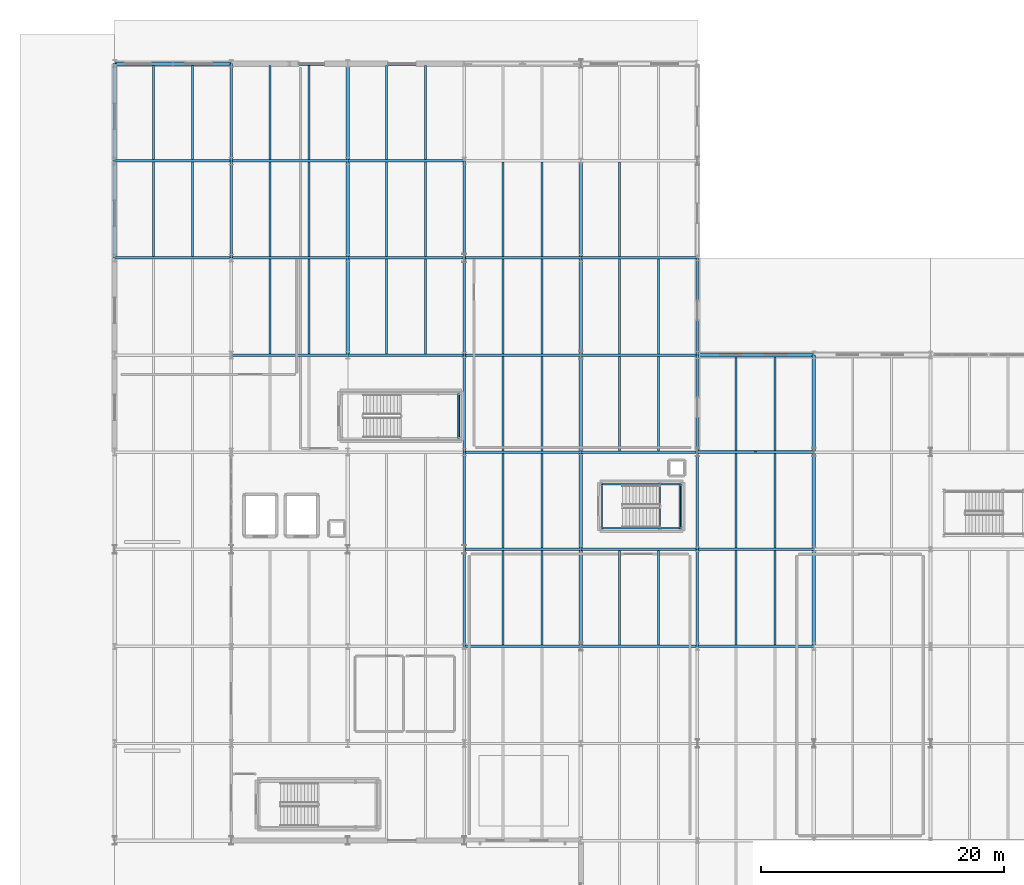
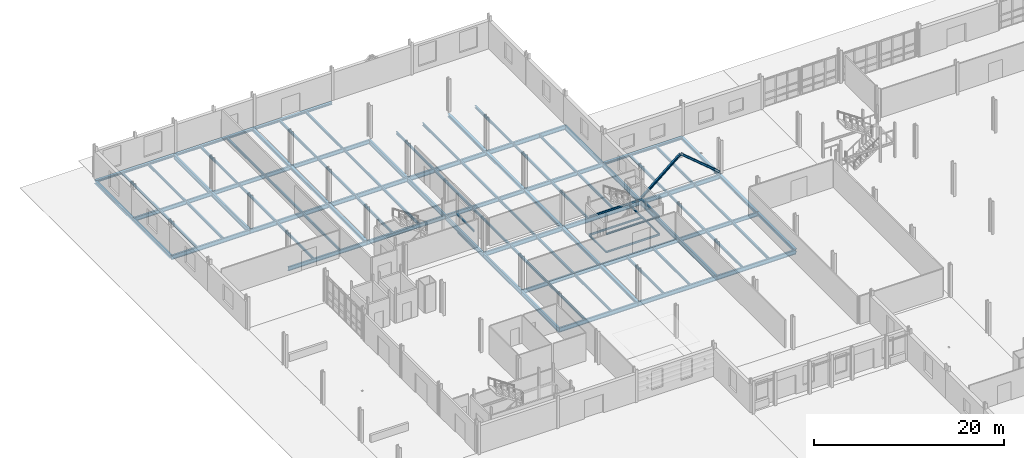
# One storey, part 36 of 78: 98 beams, 2 members.
"""IFC4 building model written with IfcOpenShell, lengths in metres."""

from ifc_helpers import new_model, si_unit, direction, frame, origin, origin_2d, place, context, subcontext, project, spatial, i_section, extrude, material, material_profile, profile_set, type_object, element, save


model = new_model("IFC4")

# Units and contexts
model_context = context("Model", 3, precision=1e-05, world=origin(), true_north=direction((0.0, 1.0)))
body_context = subcontext(model_context, "Body", "Model", "MODEL_VIEW")
ifc_project = project(units=[si_unit("LENGTHUNIT", "METRE"), si_unit("AREAUNIT", "SQUARE_METRE"), si_unit("VOLUMEUNIT", "CUBIC_METRE"), si_unit("PLANEANGLEUNIT", "RADIAN"), si_unit("MASSUNIT", "GRAM", prefix="KILO")], contexts=[model_context])

# Site, building, storey
site_placement = place(None, origin())
site = spatial("IfcSite", under=ifc_project, at=site_placement, CompositionType="ELEMENT")
building_placement = place(site_placement, origin())
building = spatial("IfcBuilding", under=site, at=building_placement, Name="Alderhovde Museum", CompositionType="ELEMENT")
storey_placement = place(building_placement, origin())
storey = spatial("IfcBuildingStorey", under=building, at=storey_placement, Name="L00", CompositionType="ELEMENT", Elevation=0.0)

# Beams
ifc_material_1 = material(Name="Steel S355J2", Category="steel")
ifc_material_profile_1 = material_profile(ifc_material_1, i_section(OverallWidth=0.300048828125, OverallDepth=0.389892578125, WebThickness=0.010986328125, FlangeThickness=0.01904296875, FilletRadius=0.027099609375, at=origin_2d()), Name="HEA 400")
ifc_profile_set_1 = profile_set([ifc_material_profile_1], Name="Steel S355J2")
beam_type_1 = type_object("IfcBeamType", Name="BM-HEA400", PredefinedType="BEAM", material=ifc_profile_set_1)
for number, where, z_axis, x_axis, name in (
    (1, (9.60009765625, 96.0, -0.47509765625), (0.0, 1.0, 0.0), (-1.0, 0.0, 0.0), "L00 Grid Beam X=9.6 (96.0 TO 104.0)"),
    (2, (9.60009765625, 104.0, -0.47509765625), (0.0, 1.0, 0.0), (-1.0, 0.0, 0.0), "L00 Grid Beam X=9.6 (104.0 TO 112.0)"),
    (3, (28.800048828125, 88.0, -0.47509765625), (0.0, 1.0, 0.0), (-1.0, 0.0, 0.0), "L00 Grid Beam X=28.8 (88.0 TO 96.0)"),
    (4, (28.800048828125, 96.0, -0.47509765625), (0.0, 1.0, 0.0), (-1.0, 0.0, 0.0), "L00 Grid Beam X=28.8 (96.0 TO 104.0)"),
    (5, (28.800048828125, 104.0, -0.47509765625), (0.0, 1.0, 0.0), (-1.0, 0.0, 0.0), "L00 Grid Beam X=28.8 (104.0 TO 112.0)"),
    (6, (48.0, 64.0, -0.47509765625), (0.0, 1.0, 0.0), (-1.0, 0.0, 0.0), "L00 Grid Beam X=48.0 (64.0 TO 72.0)"),
    (7, (48.0, 72.0, -0.47509765625), (0.0, 1.0, 0.0), (-1.0, 0.0, 0.0), "L00 Grid Beam X=48.0 (72.0 TO 80.0)"),
    (8, (48.0, 80.0, -0.47509765625), (0.0, 1.0, 0.0), (-1.0, 0.0, 0.0), "L00 Grid Beam X=48.0 (80.0 TO 88.0)"),
    (9, (48.0, 88.0, -0.47509765625), (0.0, 1.0, 0.0), (-1.0, 0.0, 0.0), "L00 Grid Beam X=48.0 (88.0 TO 96.0)"),
    (10, (48.0, 96.0, -0.47509765625), (0.0, 1.0, 0.0), (-1.0, 0.0, 0.0), "L00 Grid Beam X=48.0 (96.0 TO 104.0)"),
    (11, (67.199951171875, 64.0, -0.47509765625), (0.0, 1.0, 0.0), (-1.0, 0.0, 0.0), "L00 Grid Beam X=67.2 (64.0 TO 72.0)"),
    (12, (67.199951171875, 72.0, -0.47509765625), (0.0, 1.0, 0.0), (-1.0, 0.0, 0.0), "L00 Grid Beam X=67.2 (72.0 TO 80.0)"),
    (13, (67.199951171875, 80.0, -0.47509765625), (0.0, 1.0, 0.0), (-1.0, 0.0, 0.0), "L00 Grid Beam X=67.2 (80.0 TO 88.0)"),
):
    element("IfcBeam", number, at=place(storey_placement, frame(where, z_axis=z_axis, x_axis=x_axis)), inside=storey, type_object=beam_type_1, Name=name, PredefinedType="BEAM", context=body_context, shape_type="SweptSolid", body=[
        extrude(i_section(OverallWidth=0.300048828125, OverallDepth=0.389892578125, WebThickness=0.010986328125, FlangeThickness=0.01904296875, FilletRadius=0.027099609375, at=origin_2d()), origin(), (0.0, 0.0, 1.0), 8.0),
    ])
ifc_material_2 = material(Name="Steel S355J2", Category="steel")
ifc_material_profile_2 = material_profile(ifc_material_2, i_section(OverallWidth=0.1201171875, OverallDepth=0.239990234375, WebThickness=0.006103515625, FlangeThickness=0.009765625, FilletRadius=0.014892578125, at=origin_2d()), Name="IPE 240")
ifc_profile_set_2 = profile_set([ifc_material_profile_2], Name="Steel S355J2")
beam_type_2 = type_object("IfcBeamType", Name="BM-IPE240", PredefinedType="BEAM", material=ifc_profile_set_2)
for number, where, z_axis, x_axis, name in (
    (14, (38.0, 81.1201171875, -0.39990234375), (0.0, 1.0, 0.0), (-1.0, 0.0, 0.0), "L00 Stair ST2 Floor Trimmer E"),
    (15, (37.919921875, 81.1201171875, 1.929931640625), (0.0, 1.0, 0.0), (-1.0, 0.0, 0.0), "L00 Stair ST2 Landing 1 Beam E"),
):
    element("IfcBeam", number, at=place(storey_placement, frame(where, z_axis=z_axis, x_axis=x_axis)), inside=storey, type_object=beam_type_2, Name=name, PredefinedType="BEAM", context=body_context, shape_type="SweptSolid", body=[
        extrude(i_section(OverallWidth=0.1201171875, OverallDepth=0.239990234375, WebThickness=0.006103515625, FlangeThickness=0.009765625, FilletRadius=0.014892578125, at=origin_2d()), origin(), (0.0, 0.0, 1.0), 3.719970703125),
    ])
for number, where, z_axis, x_axis, name in (
    (16, (49.719970703125, 73.719970703125, -0.39990234375), (1.0, 0.0, 0.0), (0.0, 1.0, 0.0), "L00 Stair ST6 Floor Trimmer S"),
    (17, (49.719970703125, 77.360107421875, -0.39990234375), (1.0, 0.0, 0.0), (0.0, 1.0, 0.0), "L00 Stair ST6 Floor Trimmer N"),
):
    element("IfcBeam", number, at=place(storey_placement, frame(where, z_axis=z_axis, x_axis=x_axis)), inside=storey, type_object=beam_type_2, Name=name, PredefinedType="BEAM", context=body_context, shape_type="SweptSolid", body=[
        extrude(i_section(OverallWidth=0.1201171875, OverallDepth=0.239990234375, WebThickness=0.006103515625, FlangeThickness=0.009765625, FilletRadius=0.014892578125, at=origin_2d()), origin(), (0.0, 0.0, 1.0), 6.52001953125),
    ])
for number, where, z_axis, x_axis, name in (
    (18, (49.719970703125, 73.719970703125, -0.39990234375), (0.0, 1.0, 0.0), (-1.0, 0.0, 0.0), "L00 Stair ST6 Floor Trimmer W"),
    (19, (56.239990234375, 73.719970703125, -0.39990234375), (0.0, 1.0, 0.0), (-1.0, 0.0, 0.0), "L00 Stair ST6 Floor Trimmer E"),
):
    element("IfcBeam", number, at=place(storey_placement, frame(where, z_axis=z_axis, x_axis=x_axis)), inside=storey, type_object=beam_type_2, Name=name, PredefinedType="BEAM", context=body_context, shape_type="SweptSolid", body=[
        extrude(i_section(OverallWidth=0.1201171875, OverallDepth=0.239990234375, WebThickness=0.006103515625, FlangeThickness=0.009765625, FilletRadius=0.014892578125, at=origin_2d()), origin(), (0.0, 0.0, 1.0), 3.64013671875),
    ])
for number, where, z_axis, x_axis, name in (
    (20, (49.719970703125, 73.719970703125, 1.929931640625), (1.0, 0.0, 0.0), (0.0, 1.0, 0.0), "L00 Stair ST6 Landing 1 Beam S"),
    (21, (49.719970703125, 77.360107421875, 1.929931640625), (1.0, 0.0, 0.0), (0.0, 1.0, 0.0), "L00 Stair ST6 Landing 1 Beam N"),
):
    element("IfcBeam", number, at=place(storey_placement, frame(where, z_axis=z_axis, x_axis=x_axis)), inside=storey, type_object=beam_type_2, Name=name, PredefinedType="BEAM", context=body_context, shape_type="SweptSolid", body=[
        extrude(i_section(OverallWidth=0.1201171875, OverallDepth=0.239990234375, WebThickness=0.006103515625, FlangeThickness=0.009765625, FilletRadius=0.014892578125, at=origin_2d()), origin(), (0.0, 0.0, 1.0), 6.52001953125),
    ])
for number, where, z_axis, x_axis, name in (
    (22, (54.52001953125, 73.719970703125, 1.929931640625), (0.0, 1.0, 0.0), (-1.0, 0.0, 0.0), "L00 Stair ST6 Landing 1 Beam W"),
    (23, (56.159912109375, 73.719970703125, 1.929931640625), (0.0, 1.0, 0.0), (-1.0, 0.0, 0.0), "L00 Stair ST6 Landing 1 Beam E"),
):
    element("IfcBeam", number, at=place(storey_placement, frame(where, z_axis=z_axis, x_axis=x_axis)), inside=storey, type_object=beam_type_2, Name=name, PredefinedType="BEAM", context=body_context, shape_type="SweptSolid", body=[
        extrude(i_section(OverallWidth=0.1201171875, OverallDepth=0.239990234375, WebThickness=0.006103515625, FlangeThickness=0.009765625, FilletRadius=0.014892578125, at=origin_2d()), origin(), (0.0, 0.0, 1.0), 3.64013671875),
    ])
ifc_material_3 = material(Name="Steel S355J2", Category="steel")
ifc_material_profile_3 = material_profile(ifc_material_3, i_section(OverallWidth=0.199951171875, OverallDepth=0.5, WebThickness=0.01025390625, FlangeThickness=0.01611328125, FilletRadius=0.02099609375, at=origin_2d()), Name="IPE 500")
ifc_profile_set_3 = profile_set([ifc_material_profile_3], Name="Steel S355J2")
beam_type_3 = type_object("IfcBeamType", Name="BM-IPE500", PredefinedType="BEAM", material=ifc_profile_set_3)
for number, where, z_axis, x_axis, name in (
    (24, (38.39990234375, 72.0, -0.530029296875), (1.0, 0.0, 0.0), (0.0, 1.0, 0.0), "L00 Grid Beam Y=72.0 (38.4 TO 48.0)"),
    (25, (48.0, 72.0, -0.530029296875), (1.0, 0.0, 0.0), (0.0, 1.0, 0.0), "L00 Grid Beam Y=72.0 (48.0 TO 57.6)"),
):
    element("IfcBeam", number, at=place(storey_placement, frame(where, z_axis=z_axis, x_axis=x_axis)), inside=storey, type_object=beam_type_3, Name=name, PredefinedType="BEAM", context=body_context, shape_type="SweptSolid", body=[
        extrude(i_section(OverallWidth=0.199951171875, OverallDepth=0.5, WebThickness=0.01025390625, FlangeThickness=0.01611328125, FilletRadius=0.02099609375, at=origin_2d()), origin(), (0.0, 0.0, 1.0), 9.60009765625),
    ])
beam_1_placement = place(storey_placement, frame((57.60009765625, 72.0, -0.530029296875), z_axis=(1.0, 0.0, 0.0), x_axis=(0.0, 1.0, 0.0)))
element("IfcBeam", 26, at=beam_1_placement, inside=storey, type_object=beam_type_3, Name="L00 Grid Beam Y=72.0 (57.6 TO 67.2)", PredefinedType="BEAM", context=body_context, shape_type="SweptSolid", body=[
    extrude(i_section(OverallWidth=0.199951171875, OverallDepth=0.5, WebThickness=0.01025390625, FlangeThickness=0.01611328125, FilletRadius=0.02099609375, at=origin_2d()), origin(), (0.0, 0.0, 1.0), 9.599853515625),
])
beam_2_placement = place(storey_placement, frame((19.199951171875, 88.0, -0.530029296875), z_axis=(1.0, 0.0, 0.0), x_axis=(0.0, 1.0, 0.0)))
element("IfcBeam", 27, at=beam_2_placement, inside=storey, type_object=beam_type_3, Name="L00 Grid Beam Y=88.0 (19.2 TO 28.8)", PredefinedType="BEAM", context=body_context, shape_type="SweptSolid", body=[
    extrude(i_section(OverallWidth=0.199951171875, OverallDepth=0.5, WebThickness=0.01025390625, FlangeThickness=0.01611328125, FilletRadius=0.02099609375, at=origin_2d()), origin(), (0.0, 0.0, 1.0), 9.60009765625),
])
beam_3_placement = place(storey_placement, frame((28.800048828125, 88.0, -0.530029296875), z_axis=(1.0, 0.0, 0.0), x_axis=(0.0, 1.0, 0.0)))
element("IfcBeam", 28, at=beam_3_placement, inside=storey, type_object=beam_type_3, Name="L00 Grid Beam Y=88.0 (28.8 TO 38.4)", PredefinedType="BEAM", context=body_context, shape_type="SweptSolid", body=[
    extrude(i_section(OverallWidth=0.199951171875, OverallDepth=0.5, WebThickness=0.01025390625, FlangeThickness=0.01611328125, FilletRadius=0.02099609375, at=origin_2d()), origin(), (0.0, 0.0, 1.0), 9.599853515625),
])
for number, where, z_axis, x_axis, name in (
    (29, (38.39990234375, 88.0, -0.530029296875), (1.0, 0.0, 0.0), (0.0, 1.0, 0.0), "L00 Grid Beam Y=88.0 (38.4 TO 48.0)"),
    (30, (48.0, 88.0, -0.530029296875), (1.0, 0.0, 0.0), (0.0, 1.0, 0.0), "L00 Grid Beam Y=88.0 (48.0 TO 57.6)"),
):
    element("IfcBeam", number, at=place(storey_placement, frame(where, z_axis=z_axis, x_axis=x_axis)), inside=storey, type_object=beam_type_3, Name=name, PredefinedType="BEAM", context=body_context, shape_type="SweptSolid", body=[
        extrude(i_section(OverallWidth=0.199951171875, OverallDepth=0.5, WebThickness=0.01025390625, FlangeThickness=0.01611328125, FilletRadius=0.02099609375, at=origin_2d()), origin(), (0.0, 0.0, 1.0), 9.60009765625),
    ])
beam_4_placement = place(storey_placement, frame((9.60009765625, 104.0, -0.530029296875), z_axis=(1.0, 0.0, 0.0), x_axis=(0.0, 1.0, 0.0)))
element("IfcBeam", 31, at=beam_4_placement, inside=storey, type_object=beam_type_3, Name="L00 Grid Beam Y=104.0 (9.6 TO 19.2)", PredefinedType="BEAM", context=body_context, shape_type="SweptSolid", body=[
    extrude(i_section(OverallWidth=0.199951171875, OverallDepth=0.5, WebThickness=0.01025390625, FlangeThickness=0.01611328125, FilletRadius=0.02099609375, at=origin_2d()), origin(), (0.0, 0.0, 1.0), 9.599853515625),
])
beam_5_placement = place(storey_placement, frame((19.199951171875, 104.0, -0.530029296875), z_axis=(1.0, 0.0, 0.0), x_axis=(0.0, 1.0, 0.0)))
element("IfcBeam", 32, at=beam_5_placement, inside=storey, type_object=beam_type_3, Name="L00 Grid Beam Y=104.0 (19.2 TO 28.8)", PredefinedType="BEAM", context=body_context, shape_type="SweptSolid", body=[
    extrude(i_section(OverallWidth=0.199951171875, OverallDepth=0.5, WebThickness=0.01025390625, FlangeThickness=0.01611328125, FilletRadius=0.02099609375, at=origin_2d()), origin(), (0.0, 0.0, 1.0), 9.60009765625),
])
beam_6_placement = place(storey_placement, frame((28.800048828125, 104.0, -0.530029296875), z_axis=(1.0, 0.0, 0.0), x_axis=(0.0, 1.0, 0.0)))
element("IfcBeam", 33, at=beam_6_placement, inside=storey, type_object=beam_type_3, Name="L00 Grid Beam Y=104.0 (28.8 TO 38.4)", PredefinedType="BEAM", context=body_context, shape_type="SweptSolid", body=[
    extrude(i_section(OverallWidth=0.199951171875, OverallDepth=0.5, WebThickness=0.01025390625, FlangeThickness=0.01611328125, FilletRadius=0.02099609375, at=origin_2d()), origin(), (0.0, 0.0, 1.0), 9.599853515625),
])
ifc_material_4 = material(Name="Steel S355J2", Category="steel")
ifc_material_profile_4 = material_profile(ifc_material_4, i_section(OverallWidth=0.2099609375, OverallDepth=0.550048828125, WebThickness=0.010986328125, FlangeThickness=0.01708984375, FilletRadius=0.02392578125, at=origin_2d()), Name="IPE 550")
ifc_profile_set_4 = profile_set([ifc_material_profile_4], Name="Steel S355J2")
beam_type_4 = type_object("IfcBeamType", Name="BM-IPE550", PredefinedType="BEAM", material=ifc_profile_set_4)
for number, where, z_axis, x_axis, name in (
    (34, (38.39990234375, 64.0, -0.554931640625), (1.0, 0.0, 0.0), (0.0, 1.0, 0.0), "L00 Grid Beam Y=64.0 (38.4 TO 48.0)"),
    (35, (48.0, 64.0, -0.554931640625), (1.0, 0.0, 0.0), (0.0, 1.0, 0.0), "L00 Grid Beam Y=64.0 (48.0 TO 57.6)"),
):
    element("IfcBeam", number, at=place(storey_placement, frame(where, z_axis=z_axis, x_axis=x_axis)), inside=storey, type_object=beam_type_4, Name=name, PredefinedType="BEAM", context=body_context, shape_type="SweptSolid", body=[
        extrude(i_section(OverallWidth=0.2099609375, OverallDepth=0.550048828125, WebThickness=0.010986328125, FlangeThickness=0.01708984375, FilletRadius=0.02392578125, at=origin_2d()), origin(), (0.0, 0.0, 1.0), 9.60009765625),
    ])
beam_7_placement = place(storey_placement, frame((57.60009765625, 64.0, -0.554931640625), z_axis=(1.0, 0.0, 0.0), x_axis=(0.0, 1.0, 0.0)))
element("IfcBeam", 36, at=beam_7_placement, inside=storey, type_object=beam_type_4, Name="L00 Grid Beam Y=64.0 (57.6 TO 67.2)", PredefinedType="BEAM", context=body_context, shape_type="SweptSolid", body=[
    extrude(i_section(OverallWidth=0.2099609375, OverallDepth=0.550048828125, WebThickness=0.010986328125, FlangeThickness=0.01708984375, FilletRadius=0.02392578125, at=origin_2d()), origin(), (0.0, 0.0, 1.0), 9.599853515625),
])
for number, where, z_axis, x_axis, name in (
    (37, (38.39990234375, 80.0, -0.554931640625), (1.0, 0.0, 0.0), (0.0, 1.0, 0.0), "L00 Grid Beam Y=80.0 (38.4 TO 48.0)"),
    (38, (48.0, 80.0, -0.554931640625), (1.0, 0.0, 0.0), (0.0, 1.0, 0.0), "L00 Grid Beam Y=80.0 (48.0 TO 57.6)"),
):
    element("IfcBeam", number, at=place(storey_placement, frame(where, z_axis=z_axis, x_axis=x_axis)), inside=storey, type_object=beam_type_4, Name=name, PredefinedType="BEAM", context=body_context, shape_type="SweptSolid", body=[
        extrude(i_section(OverallWidth=0.2099609375, OverallDepth=0.550048828125, WebThickness=0.010986328125, FlangeThickness=0.01708984375, FilletRadius=0.02392578125, at=origin_2d()), origin(), (0.0, 0.0, 1.0), 9.60009765625),
    ])
for number, where, z_axis, x_axis, name in (
    (39, (57.60009765625, 80.0, -0.554931640625), (1.0, 0.0, 0.0), (0.0, 1.0, 0.0), "L00 Grid Beam Y=80.0 (57.6 TO 67.2)"),
    (40, (9.60009765625, 96.0, -0.554931640625), (1.0, 0.0, 0.0), (0.0, 1.0, 0.0), "L00 Grid Beam Y=96.0 (9.6 TO 19.2)"),
):
    element("IfcBeam", number, at=place(storey_placement, frame(where, z_axis=z_axis, x_axis=x_axis)), inside=storey, type_object=beam_type_4, Name=name, PredefinedType="BEAM", context=body_context, shape_type="SweptSolid", body=[
        extrude(i_section(OverallWidth=0.2099609375, OverallDepth=0.550048828125, WebThickness=0.010986328125, FlangeThickness=0.01708984375, FilletRadius=0.02392578125, at=origin_2d()), origin(), (0.0, 0.0, 1.0), 9.599853515625),
    ])
beam_8_placement = place(storey_placement, frame((19.199951171875, 96.0, -0.554931640625), z_axis=(1.0, 0.0, 0.0), x_axis=(0.0, 1.0, 0.0)))
element("IfcBeam", 41, at=beam_8_placement, inside=storey, type_object=beam_type_4, Name="L00 Grid Beam Y=96.0 (19.2 TO 28.8)", PredefinedType="BEAM", context=body_context, shape_type="SweptSolid", body=[
    extrude(i_section(OverallWidth=0.2099609375, OverallDepth=0.550048828125, WebThickness=0.010986328125, FlangeThickness=0.01708984375, FilletRadius=0.02392578125, at=origin_2d()), origin(), (0.0, 0.0, 1.0), 9.60009765625),
])
beam_9_placement = place(storey_placement, frame((28.800048828125, 96.0, -0.554931640625), z_axis=(1.0, 0.0, 0.0), x_axis=(0.0, 1.0, 0.0)))
element("IfcBeam", 42, at=beam_9_placement, inside=storey, type_object=beam_type_4, Name="L00 Grid Beam Y=96.0 (28.8 TO 38.4)", PredefinedType="BEAM", context=body_context, shape_type="SweptSolid", body=[
    extrude(i_section(OverallWidth=0.2099609375, OverallDepth=0.550048828125, WebThickness=0.010986328125, FlangeThickness=0.01708984375, FilletRadius=0.02392578125, at=origin_2d()), origin(), (0.0, 0.0, 1.0), 9.599853515625),
])
for number, where, z_axis, x_axis, name in (
    (43, (38.39990234375, 96.0, -0.554931640625), (1.0, 0.0, 0.0), (0.0, 1.0, 0.0), "L00 Grid Beam Y=96.0 (38.4 TO 48.0)"),
    (44, (48.0, 96.0, -0.554931640625), (1.0, 0.0, 0.0), (0.0, 1.0, 0.0), "L00 Grid Beam Y=96.0 (48.0 TO 57.6)"),
):
    element("IfcBeam", number, at=place(storey_placement, frame(where, z_axis=z_axis, x_axis=x_axis)), inside=storey, type_object=beam_type_4, Name=name, PredefinedType="BEAM", context=body_context, shape_type="SweptSolid", body=[
        extrude(i_section(OverallWidth=0.2099609375, OverallDepth=0.550048828125, WebThickness=0.010986328125, FlangeThickness=0.01708984375, FilletRadius=0.02392578125, at=origin_2d()), origin(), (0.0, 0.0, 1.0), 9.60009765625),
    ])
ifc_material_5 = material(Name="Steel S355J2", Category="steel")
ifc_material_profile_5 = material_profile(ifc_material_5, i_section(OverallWidth=0.219970703125, OverallDepth=0.60009765625, WebThickness=0.011962890625, FlangeThickness=0.01904296875, FilletRadius=0.02392578125, at=origin_2d()), Name="IPE 600")
ifc_profile_set_5 = profile_set([ifc_material_profile_5], Name="Steel S355J2")
beam_type_5 = type_object("IfcBeamType", Name="BM-IPE600", PredefinedType="BEAM", material=ifc_profile_set_5)
for number, where, z_axis, x_axis, name in (
    (45, (19.199951171875, 96.0, -0.580078125), (0.0, 1.0, 0.0), (-1.0, 0.0, 0.0), "L00 Grid Beam X=19.2 (96.0 TO 104.0)"),
    (46, (19.199951171875, 104.0, -0.580078125), (0.0, 1.0, 0.0), (-1.0, 0.0, 0.0), "L00 Grid Beam X=19.2 (104.0 TO 112.0)"),
    (47, (38.39990234375, 64.0, -0.580078125), (0.0, 1.0, 0.0), (-1.0, 0.0, 0.0), "L00 Grid Beam X=38.4 (64.0 TO 72.0)"),
    (48, (38.39990234375, 72.0, -0.580078125), (0.0, 1.0, 0.0), (-1.0, 0.0, 0.0), "L00 Grid Beam X=38.4 (72.0 TO 80.0)"),
    (49, (38.39990234375, 80.0, -0.580078125), (0.0, 1.0, 0.0), (-1.0, 0.0, 0.0), "L00 Grid Beam X=38.4 (80.0 TO 88.0)"),
    (50, (38.39990234375, 88.0, -0.580078125), (0.0, 1.0, 0.0), (-1.0, 0.0, 0.0), "L00 Grid Beam X=38.4 (88.0 TO 96.0)"),
    (51, (38.39990234375, 96.0, -0.580078125), (0.0, 1.0, 0.0), (-1.0, 0.0, 0.0), "L00 Grid Beam X=38.4 (96.0 TO 104.0)"),
    (52, (57.60009765625, 64.0, -0.580078125), (0.0, 1.0, 0.0), (-1.0, 0.0, 0.0), "L00 Grid Beam X=57.6 (64.0 TO 72.0)"),
    (53, (57.60009765625, 72.0, -0.580078125), (0.0, 1.0, 0.0), (-1.0, 0.0, 0.0), "L00 Grid Beam X=57.6 (72.0 TO 80.0)"),
    (54, (57.60009765625, 80.0, -0.580078125), (0.0, 1.0, 0.0), (-1.0, 0.0, 0.0), "L00 Grid Beam X=57.6 (80.0 TO 88.0)"),
    (55, (57.60009765625, 88.0, -0.580078125), (0.0, 1.0, 0.0), (-1.0, 0.0, 0.0), "L00 Grid Beam X=57.6 (88.0 TO 96.0)"),
):
    element("IfcBeam", number, at=place(storey_placement, frame(where, z_axis=z_axis, x_axis=x_axis)), inside=storey, type_object=beam_type_5, Name=name, PredefinedType="BEAM", context=body_context, shape_type="SweptSolid", body=[
        extrude(i_section(OverallWidth=0.219970703125, OverallDepth=0.60009765625, WebThickness=0.011962890625, FlangeThickness=0.01904296875, FilletRadius=0.02392578125, at=origin_2d()), origin(), (0.0, 0.0, 1.0), 8.0),
    ])

# Members
ifc_material_6 = material(Name="Steel S355J2", Category="steel")
ifc_material_profile_6 = material_profile(ifc_material_6, i_section(OverallWidth=0.239990234375, OverallDepth=0.239990234375, WebThickness=0.010009765625, FlangeThickness=0.01708984375, FilletRadius=0.02099609375, at=origin_2d()), Name="HEB 240")
ifc_profile_set_6 = profile_set([ifc_material_profile_6], Name="Steel S355J2")
member_type = type_object("IfcMemberType", Name="BR-HEB240", PredefinedType="BRACE", material=ifc_profile_set_6)
for number, where, z_axis, x_axis, name in (
    (56, (57.60009765625, 80.0, 0.0), (0.76663357033, 0.0, 0.642084861091), (0.0, 1.0, 0.0), "L00 Chevron Brace BR-V1-N-L"),
    (57, (67.199951171875, 80.0, 0.0), (-0.766649646023, 0.0, 0.64206566662), (0.0, -1.0, 0.0), "L00 Chevron Brace BR-V1-N-R"),
):
    element("IfcMember", number, at=place(storey_placement, frame(where, z_axis=z_axis, x_axis=x_axis)), inside=storey, type_object=member_type, Name=name, PredefinedType="BRACE", context=body_context, shape_type="SweptSolid", body=[
        extrude(i_section(OverallWidth=0.239990234375, OverallDepth=0.239990234375, WebThickness=0.010009765625, FlangeThickness=0.01708984375, FilletRadius=0.02099609375, at=origin_2d()), origin(), (0.0, 0.0, 1.0), 6.260986328125),
    ])

# Beams
ifc_material_7 = material(Name="Steel S355J2", Category="steel")
ifc_material_profile_7 = material_profile(ifc_material_7, i_section(OverallWidth=0.159912109375, OverallDepth=0.330078125, WebThickness=0.007568359375, FlangeThickness=0.011474609375, FilletRadius=0.01806640625, at=origin_2d()), Name="IPE 330")
ifc_profile_set_7 = profile_set([ifc_material_profile_7], Name="Steel S355J2")
beam_type_6 = type_object("IfcBeamType", Name="JST-IPE330", PredefinedType="JOIST", material=ifc_profile_set_7)
for number, where, z_axis, x_axis, name in (
    (58, (12.800048828125, 96.10498046875, -0.445068359375), (0.0, 1.0, 0.0), (-1.0, 0.0, 0.0), "L00 Composite Joist X=12.8 (96.0 TO 104.0)"),
    (59, (16.0, 96.10498046875, -0.445068359375), (0.0, 1.0, 0.0), (-1.0, 0.0, 0.0), "L00 Composite Joist X=16.0 (96.0 TO 104.0)"),
):
    element("IfcBeam", number, at=place(storey_placement, frame(where, z_axis=z_axis, x_axis=x_axis)), inside=storey, type_object=beam_type_6, Name=name, PredefinedType="JOIST", context=body_context, shape_type="SweptSolid", body=[
        extrude(i_section(OverallWidth=0.159912109375, OverallDepth=0.330078125, WebThickness=0.007568359375, FlangeThickness=0.011474609375, FilletRadius=0.01806640625, at=origin_2d()), origin(), (0.0, 0.0, 1.0), 7.794921875),
    ])
for number, where, z_axis, x_axis, name in (
    (60, (12.800048828125, 104.10009765625, -0.445068359375), (0.0, 1.0, 0.0), (-1.0, 0.0, 0.0), "L00 Composite Joist X=12.8 (104.0 TO 112.0)"),
    (61, (16.0, 104.10009765625, -0.445068359375), (0.0, 1.0, 0.0), (-1.0, 0.0, 0.0), "L00 Composite Joist X=16.0 (104.0 TO 112.0)"),
):
    element("IfcBeam", number, at=place(storey_placement, frame(where, z_axis=z_axis, x_axis=x_axis)), inside=storey, type_object=beam_type_6, Name=name, PredefinedType="JOIST", context=body_context, shape_type="SweptSolid", body=[
        extrude(i_section(OverallWidth=0.159912109375, OverallDepth=0.330078125, WebThickness=0.007568359375, FlangeThickness=0.011474609375, FilletRadius=0.01806640625, at=origin_2d()), origin(), (0.0, 0.0, 1.0), 7.75),
    ])
for number, where, z_axis, x_axis, name in (
    (62, (22.39990234375, 88.10009765625, -0.445068359375), (0.0, 1.0, 0.0), (-1.0, 0.0, 0.0), "L00 Composite Joist X=22.4 (88.0 TO 96.0)"),
    (63, (25.60009765625, 88.10009765625, -0.445068359375), (0.0, 1.0, 0.0), (-1.0, 0.0, 0.0), "L00 Composite Joist X=25.6 (88.0 TO 96.0)"),
    (64, (22.39990234375, 96.10498046875, -0.445068359375), (0.0, 1.0, 0.0), (-1.0, 0.0, 0.0), "L00 Composite Joist X=22.4 (96.0 TO 104.0)"),
    (65, (25.60009765625, 96.10498046875, -0.445068359375), (0.0, 1.0, 0.0), (-1.0, 0.0, 0.0), "L00 Composite Joist X=25.6 (96.0 TO 104.0)"),
):
    element("IfcBeam", number, at=place(storey_placement, frame(where, z_axis=z_axis, x_axis=x_axis)), inside=storey, type_object=beam_type_6, Name=name, PredefinedType="JOIST", context=body_context, shape_type="SweptSolid", body=[
        extrude(i_section(OverallWidth=0.159912109375, OverallDepth=0.330078125, WebThickness=0.007568359375, FlangeThickness=0.011474609375, FilletRadius=0.01806640625, at=origin_2d()), origin(), (0.0, 0.0, 1.0), 7.794921875),
    ])
for number, where, z_axis, x_axis, name in (
    (66, (22.39990234375, 104.10009765625, -0.445068359375), (0.0, 1.0, 0.0), (-1.0, 0.0, 0.0), "L00 Composite Joist X=22.4 (104.0 TO 112.0)"),
    (67, (25.60009765625, 104.10009765625, -0.445068359375), (0.0, 1.0, 0.0), (-1.0, 0.0, 0.0), "L00 Composite Joist X=25.6 (104.0 TO 112.0)"),
):
    element("IfcBeam", number, at=place(storey_placement, frame(where, z_axis=z_axis, x_axis=x_axis)), inside=storey, type_object=beam_type_6, Name=name, PredefinedType="JOIST", context=body_context, shape_type="SweptSolid", body=[
        extrude(i_section(OverallWidth=0.159912109375, OverallDepth=0.330078125, WebThickness=0.007568359375, FlangeThickness=0.011474609375, FilletRadius=0.01806640625, at=origin_2d()), origin(), (0.0, 0.0, 1.0), 7.75),
    ])
for number, where, z_axis, x_axis, name in (
    (68, (32.0, 88.10009765625, -0.445068359375), (0.0, 1.0, 0.0), (-1.0, 0.0, 0.0), "L00 Composite Joist X=32.0 (88.0 TO 96.0)"),
    (69, (35.199951171875, 88.10009765625, -0.445068359375), (0.0, 1.0, 0.0), (-1.0, 0.0, 0.0), "L00 Composite Joist X=35.2 (88.0 TO 96.0)"),
    (70, (32.0, 96.10498046875, -0.445068359375), (0.0, 1.0, 0.0), (-1.0, 0.0, 0.0), "L00 Composite Joist X=32.0 (96.0 TO 104.0)"),
    (71, (35.199951171875, 96.10498046875, -0.445068359375), (0.0, 1.0, 0.0), (-1.0, 0.0, 0.0), "L00 Composite Joist X=35.2 (96.0 TO 104.0)"),
):
    element("IfcBeam", number, at=place(storey_placement, frame(where, z_axis=z_axis, x_axis=x_axis)), inside=storey, type_object=beam_type_6, Name=name, PredefinedType="JOIST", context=body_context, shape_type="SweptSolid", body=[
        extrude(i_section(OverallWidth=0.159912109375, OverallDepth=0.330078125, WebThickness=0.007568359375, FlangeThickness=0.011474609375, FilletRadius=0.01806640625, at=origin_2d()), origin(), (0.0, 0.0, 1.0), 7.794921875),
    ])
for number, where, z_axis, x_axis, name in (
    (72, (32.0, 104.10009765625, -0.445068359375), (0.0, 1.0, 0.0), (-1.0, 0.0, 0.0), "L00 Composite Joist X=32.0 (104.0 TO 112.0)"),
    (73, (35.199951171875, 104.10009765625, -0.445068359375), (0.0, 1.0, 0.0), (-1.0, 0.0, 0.0), "L00 Composite Joist X=35.2 (104.0 TO 112.0)"),
):
    element("IfcBeam", number, at=place(storey_placement, frame(where, z_axis=z_axis, x_axis=x_axis)), inside=storey, type_object=beam_type_6, Name=name, PredefinedType="JOIST", context=body_context, shape_type="SweptSolid", body=[
        extrude(i_section(OverallWidth=0.159912109375, OverallDepth=0.330078125, WebThickness=0.007568359375, FlangeThickness=0.011474609375, FilletRadius=0.01806640625, at=origin_2d()), origin(), (0.0, 0.0, 1.0), 7.75),
    ])
for number, where, z_axis, x_axis, name in (
    (74, (41.60009765625, 64.10498046875, -0.445068359375), (0.0, 1.0, 0.0), (-1.0, 0.0, 0.0), "L00 Composite Joist X=41.6 (64.0 TO 72.0)"),
    (75, (44.800048828125, 64.10498046875, -0.445068359375), (0.0, 1.0, 0.0), (-1.0, 0.0, 0.0), "L00 Composite Joist X=44.8 (64.0 TO 72.0)"),
    (76, (41.60009765625, 72.10009765625, -0.445068359375), (0.0, 1.0, 0.0), (-1.0, 0.0, 0.0), "L00 Composite Joist X=41.6 (72.0 TO 80.0)"),
    (77, (44.800048828125, 72.10009765625, -0.445068359375), (0.0, 1.0, 0.0), (-1.0, 0.0, 0.0), "L00 Composite Joist X=44.8 (72.0 TO 80.0)"),
    (78, (41.60009765625, 80.10498046875, -0.445068359375), (0.0, 1.0, 0.0), (-1.0, 0.0, 0.0), "L00 Composite Joist X=41.6 (80.0 TO 88.0)"),
    (79, (44.800048828125, 80.10498046875, -0.445068359375), (0.0, 1.0, 0.0), (-1.0, 0.0, 0.0), "L00 Composite Joist X=44.8 (80.0 TO 88.0)"),
    (80, (41.60009765625, 88.10009765625, -0.445068359375), (0.0, 1.0, 0.0), (-1.0, 0.0, 0.0), "L00 Composite Joist X=41.6 (88.0 TO 96.0)"),
    (81, (44.800048828125, 88.10009765625, -0.445068359375), (0.0, 1.0, 0.0), (-1.0, 0.0, 0.0), "L00 Composite Joist X=44.8 (88.0 TO 96.0)"),
    (82, (41.60009765625, 96.10498046875, -0.445068359375), (0.0, 1.0, 0.0), (-1.0, 0.0, 0.0), "L00 Composite Joist X=41.6 (96.0 TO 104.0)"),
    (83, (44.800048828125, 96.10498046875, -0.445068359375), (0.0, 1.0, 0.0), (-1.0, 0.0, 0.0), "L00 Composite Joist X=44.8 (96.0 TO 104.0)"),
    (84, (51.199951171875, 64.10498046875, -0.445068359375), (0.0, 1.0, 0.0), (-1.0, 0.0, 0.0), "L00 Composite Joist X=51.2 (64.0 TO 72.0)"),
    (85, (54.39990234375, 64.10498046875, -0.445068359375), (0.0, 1.0, 0.0), (-1.0, 0.0, 0.0), "L00 Composite Joist X=54.4 (64.0 TO 72.0)"),
    (86, (51.199951171875, 80.10498046875, -0.445068359375), (0.0, 1.0, 0.0), (-1.0, 0.0, 0.0), "L00 Composite Joist X=51.2 (80.0 TO 88.0)"),
    (87, (54.39990234375, 80.10498046875, -0.445068359375), (0.0, 1.0, 0.0), (-1.0, 0.0, 0.0), "L00 Composite Joist X=54.4 (80.0 TO 88.0)"),
    (88, (51.199951171875, 88.10009765625, -0.445068359375), (0.0, 1.0, 0.0), (-1.0, 0.0, 0.0), "L00 Composite Joist X=51.2 (88.0 TO 96.0)"),
    (89, (54.39990234375, 88.10009765625, -0.445068359375), (0.0, 1.0, 0.0), (-1.0, 0.0, 0.0), "L00 Composite Joist X=54.4 (88.0 TO 96.0)"),
    (90, (51.199951171875, 96.10498046875, -0.445068359375), (0.0, 1.0, 0.0), (-1.0, 0.0, 0.0), "L00 Composite Joist X=51.2 (96.0 TO 104.0)"),
    (91, (60.800048828125, 64.10498046875, -0.445068359375), (0.0, 1.0, 0.0), (-1.0, 0.0, 0.0), "L00 Composite Joist X=60.8 (64.0 TO 72.0)"),
    (92, (64.0, 64.10498046875, -0.445068359375), (0.0, 1.0, 0.0), (-1.0, 0.0, 0.0), "L00 Composite Joist X=64.0 (64.0 TO 72.0)"),
    (93, (60.800048828125, 72.10009765625, -0.445068359375), (0.0, 1.0, 0.0), (-1.0, 0.0, 0.0), "L00 Composite Joist X=60.8 (72.0 TO 80.0)"),
    (94, (64.0, 72.10009765625, -0.445068359375), (0.0, 1.0, 0.0), (-1.0, 0.0, 0.0), "L00 Composite Joist X=64.0 (72.0 TO 80.0)"),
):
    element("IfcBeam", number, at=place(storey_placement, frame(where, z_axis=z_axis, x_axis=x_axis)), inside=storey, type_object=beam_type_6, Name=name, PredefinedType="JOIST", context=body_context, shape_type="SweptSolid", body=[
        extrude(i_section(OverallWidth=0.159912109375, OverallDepth=0.330078125, WebThickness=0.007568359375, FlangeThickness=0.011474609375, FilletRadius=0.01806640625, at=origin_2d()), origin(), (0.0, 0.0, 1.0), 7.794921875),
    ])
for number, where, z_axis, x_axis, name in (
    (95, (60.800048828125, 80.10498046875, -0.445068359375), (0.0, 1.0, 0.0), (-1.0, 0.0, 0.0), "L00 Composite Joist X=60.8 (80.0 TO 88.0)"),
    (96, (64.0, 80.10498046875, -0.445068359375), (0.0, 1.0, 0.0), (-1.0, 0.0, 0.0), "L00 Composite Joist X=64.0 (80.0 TO 88.0)"),
):
    element("IfcBeam", number, at=place(storey_placement, frame(where, z_axis=z_axis, x_axis=x_axis)), inside=storey, type_object=beam_type_6, Name=name, PredefinedType="JOIST", context=body_context, shape_type="SweptSolid", body=[
        extrude(i_section(OverallWidth=0.159912109375, OverallDepth=0.330078125, WebThickness=0.007568359375, FlangeThickness=0.011474609375, FilletRadius=0.01806640625, at=origin_2d()), origin(), (0.0, 0.0, 1.0), 7.7451171875),
    ])
ifc_material_8 = material(Name="Steel S355J2", Category="steel")
ifc_material_profile_8 = material_profile(ifc_material_8, i_section(OverallWidth=0.300048828125, OverallDepth=0.2900390625, WebThickness=0.008544921875, FlangeThickness=0.013916015625, FilletRadius=0.027099609375, at=origin_2d()), Name="HEA 300")
ifc_profile_set_8 = profile_set([ifc_material_profile_8], Name="Steel S355J2")
beam_type_7 = type_object("IfcBeamType", Name="SPD-HEA300", PredefinedType="SPANDREL", material=ifc_profile_set_8)
for number, where, z_axis, x_axis, name in (
    (97, (57.60009765625, 88.0, -0.425048828125), (1.0, 0.0, 0.0), (0.0, 1.0, 0.0), "L00 Grid Beam Y=88.0 (57.6 TO 67.2)"),
    (98, (9.60009765625, 112.0, -0.425048828125), (1.0, 0.0, 0.0), (0.0, 1.0, 0.0), "L00 Grid Beam Y=112.0 (9.6 TO 19.2)"),
):
    element("IfcBeam", number, at=place(storey_placement, frame(where, z_axis=z_axis, x_axis=x_axis)), inside=storey, type_object=beam_type_7, Name=name, PredefinedType="SPANDREL", context=body_context, shape_type="SweptSolid", body=[
        extrude(i_section(OverallWidth=0.300048828125, OverallDepth=0.2900390625, WebThickness=0.008544921875, FlangeThickness=0.013916015625, FilletRadius=0.027099609375, at=origin_2d()), origin(), (0.0, 0.0, 1.0), 9.599853515625),
    ])
beam_10_placement = place(storey_placement, frame((19.199951171875, 112.0, -0.425048828125), z_axis=(1.0, 0.0, 0.0), x_axis=(0.0, 1.0, 0.0)))
element("IfcBeam", 99, at=beam_10_placement, inside=storey, type_object=beam_type_7, Name="L00 Grid Beam Y=112.0 (19.2 TO 28.8)", PredefinedType="SPANDREL", context=body_context, shape_type="SweptSolid", body=[
    extrude(i_section(OverallWidth=0.300048828125, OverallDepth=0.2900390625, WebThickness=0.008544921875, FlangeThickness=0.013916015625, FilletRadius=0.027099609375, at=origin_2d()), origin(), (0.0, 0.0, 1.0), 9.60009765625),
])
beam_11_placement = place(storey_placement, frame((28.800048828125, 112.0, -0.425048828125), z_axis=(1.0, 0.0, 0.0), x_axis=(0.0, 1.0, 0.0)))
element("IfcBeam", 100, at=beam_11_placement, inside=storey, type_object=beam_type_7, Name="L00 Grid Beam Y=112.0 (28.8 TO 38.4)", PredefinedType="SPANDREL", context=body_context, shape_type="SweptSolid", body=[
    extrude(i_section(OverallWidth=0.300048828125, OverallDepth=0.2900390625, WebThickness=0.008544921875, FlangeThickness=0.013916015625, FilletRadius=0.027099609375, at=origin_2d()), origin(), (0.0, 0.0, 1.0), 9.599853515625),
])

save(model, "model.ifc")
